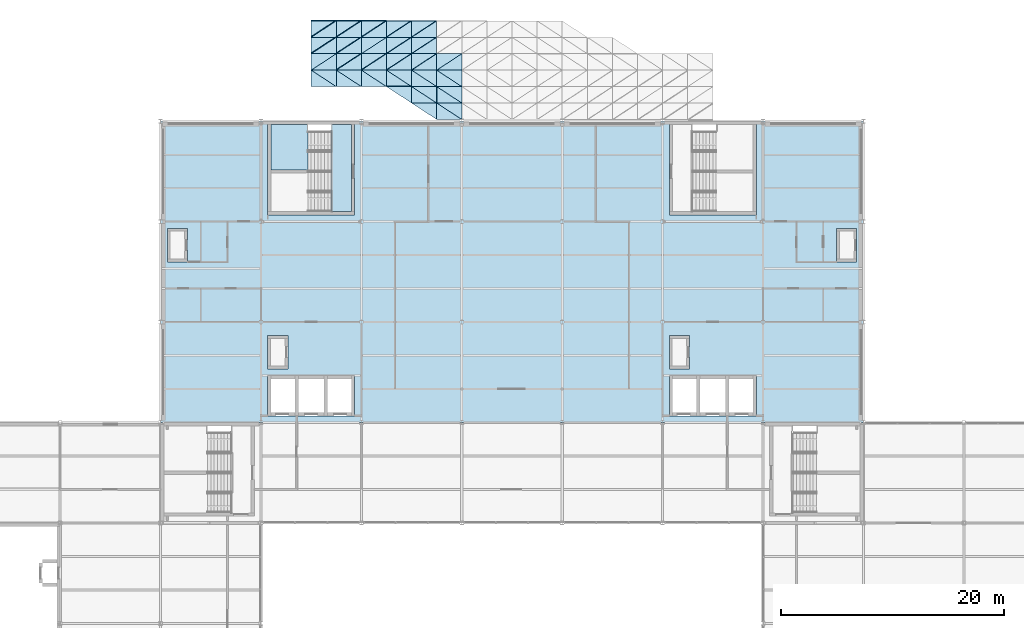
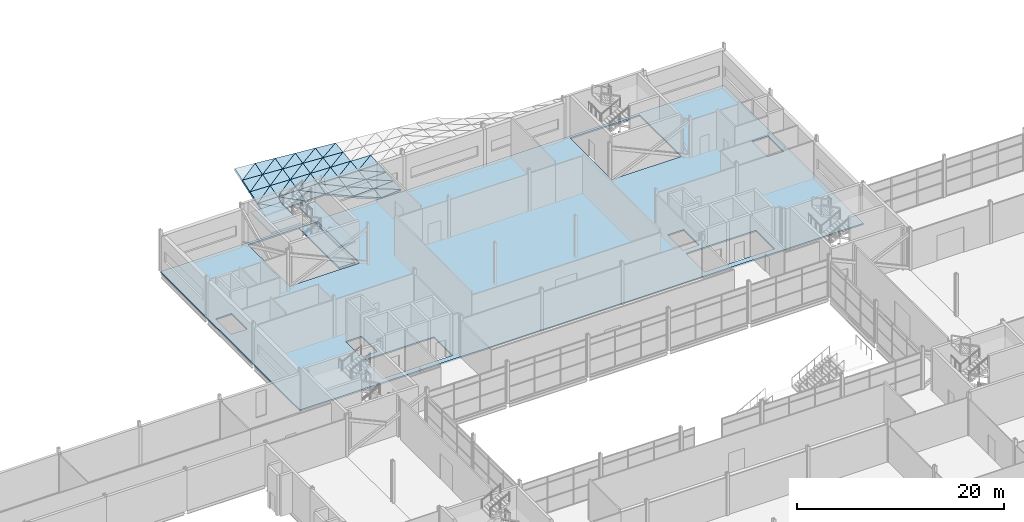
# One storey, part 71 of 112: 56 slabs, 1 element without a shape of its own.
"""IFC4 building model written with IfcOpenShell, lengths in metres."""

from ifc_helpers import new_model, si_unit, direction, frame, origin, place, context, subcontext, project, spatial, polyline, outline, extrude, material, layer, layer_set, type_object, element, aggregate, save


model = new_model("IFC4")

# Units and contexts
model_context = context("Model", 3, precision=1e-05, world=origin(), true_north=direction((0.0, 1.0)))
body_context = subcontext(model_context, "Body", "Model", "MODEL_VIEW")
ifc_project = project(units=[si_unit("LENGTHUNIT", "METRE"), si_unit("AREAUNIT", "SQUARE_METRE"), si_unit("VOLUMEUNIT", "CUBIC_METRE"), si_unit("PLANEANGLEUNIT", "RADIAN"), si_unit("MASSUNIT", "GRAM", prefix="KILO")], contexts=[model_context])

# Site, building, storey
site_placement = place(None, origin())
site = spatial("IfcSite", under=ifc_project, at=site_placement, CompositionType="ELEMENT")
building_placement = place(site_placement, origin())
building = spatial("IfcBuilding", under=site, at=building_placement, Name="Shorebreak Coast Museum", CompositionType="ELEMENT")
storey_placement = place(building_placement, frame((0.0, 0.0, 6.0)))
storey = spatial("IfcBuildingStorey", under=building, at=storey_placement, Name="L01", CompositionType="ELEMENT", Elevation=6.0)

# Slabs
ifc_material_1 = material(Name="Concrete N50 (50 MPa)", Category="concrete")
ifc_layer_1 = layer(ifc_material_1, 0.25)
ifc_layer_set_1 = layer_set([ifc_layer_1], Name="Concrete N50 (50 MPa)")
slab_type_1 = type_object("IfcSlabType", Name="Canopy facet slab 250", PredefinedType="ROOF", material=ifc_layer_set_1)
slab_1_placement = place(storey_placement, frame((78.75, 117.16357421875, -0.0419921875), z_axis=(-0.052577337981, -0.123863176594, 0.990905412749), x_axis=(0.0, 0.992277876714, 0.124034734589)))
element("IfcSlab", 1, at=slab_1_placement, inside=storey, type_object=slab_type_1, Name="Canopy facet CAN-N 1.5b", PredefinedType="ROOF", context=body_context, shape_type="SweptSolid", body=[
    extrude(outline(polyline([(0.0, 0.0), (1.4841167827678483, 0.0), (1.4693089250495566, 2.253116386166754), (0.0, 0.0)])), origin(), (0.0, 0.0, -1.0), 0.25),
])
slab_2_placement = place(storey_placement, frame((78.75, 117.16357421875, -0.0419921875), z_axis=(-0.079423394127, -0.123642905452, 0.989143243619), x_axis=(0.996791849979, 0.0, 0.080037540037)))
element("IfcSlab", 2, at=slab_2_placement, inside=storey, type_object=slab_type_1, Name="Canopy facet CAN-N 1.6a", PredefinedType="ROOF", context=body_context, shape_type="SweptSolid", body=[
    extrude(outline(polyline([(0.0, 0.0), (2.257241569588644, -3.469446951953614e-18), (0.014733472946334966, 1.4840436481681147), (0.0, 0.0)])), origin(), (0.0, 0.0, -1.0), 0.25),
])
slab_3_placement = place(storey_placement, frame((81.0, 117.16357421875, 0.138671875), z_axis=(-0.05280260806, -0.082984242339, 0.995150993621), x_axis=(0.0, 0.996541199252, 0.083100169633)))
element("IfcSlab", 3, at=slab_3_placement, inside=storey, type_object=slab_type_1, Name="Canopy facet CAN-N 1.6b", PredefinedType="ROOF", context=body_context, shape_type="SweptSolid", body=[
    extrude(outline(polyline([(0.0, 0.0), (1.477767553519172, 8.673617379884035e-19), (1.4678466592441861, 2.253143204086265), (0.0, 0.0)])), origin(), (0.0, 0.0, -1.0), 0.25),
])
slab_4_placement = place(storey_placement, frame((76.5, 118.63623046875, 0.022705078125), z_axis=(-0.025464677856, -0.164425189432, 0.986060803025), x_axis=(0.0, 0.986380664068, 0.164478526115)))
element("IfcSlab", 4, at=slab_4_placement, inside=storey, type_object=slab_type_1, Name="Canopy facet CAN-N 2.4b", PredefinedType="ROOF", context=body_context, shape_type="SweptSolid", body=[
    extrude(outline(polyline([(0.0, 0.0), (1.493237290916345, 8.673617379884035e-19), (1.483680189057119, 2.250729861023466), (0.0, 0.0)])), origin(), (0.0, 0.0, -1.0), 0.25),
])
slab_5_placement = place(storey_placement, frame((76.5, 118.63623046875, 0.022705078125), z_axis=(-0.052265721414, -0.164253719025, 0.985032491927), x_axis=(0.998595289099, 0.0, 0.052985362019)))
element("IfcSlab", 5, at=slab_5_placement, inside=storey, type_object=slab_type_1, Name="Canopy facet CAN-N 2.5a", PredefinedType="ROOF", context=body_context, shape_type="SweptSolid", body=[
    extrude(outline(polyline([(0.0, 0.0), (2.253165045500071, 0.0), (0.013013494675632759, 1.4931805838342234), (0.0, 0.0)])), origin(), (0.0, 0.0, -1.0), 0.25),
])
slab_6_placement = place(storey_placement, frame((78.75, 118.63623046875, 0.14208984375), z_axis=(-0.025509323813, -0.123974135162, 0.991957503228), x_axis=(0.0, 0.992280406899, 0.124014491431)))
element("IfcSlab", 6, at=slab_6_placement, inside=storey, type_object=slab_type_1, Name="Canopy facet CAN-N 2.5b", PredefinedType="ROOF", context=body_context, shape_type="SweptSolid", body=[
    extrude(outline(polyline([(0.0, 0.0), (1.4843590384177283, 0.0), (1.4771833952367992, 2.250732423776165), (0.0, 0.0)])), origin(), (0.0, 0.0, -1.0), 0.25),
])
slab_7_placement = place(storey_placement, frame((78.75, 118.63623046875, 0.14208984375), z_axis=(-0.052577471676, -0.123842960561, 0.99090793245), x_axis=(0.998595289099, 0.0, 0.052985362019)))
element("IfcSlab", 7, at=slab_7_placement, inside=storey, type_object=slab_type_1, Name="Canopy facet CAN-N 2.6a", PredefinedType="ROOF", context=body_context, shape_type="SweptSolid", body=[
    extrude(outline(polyline([(0.0, 0.0), (2.253165045500071, -1.734723475976807e-18), (0.00975365306702495, 1.4843269926752163), (0.0, 0.0)])), origin(), (0.0, 0.0, -1.0), 0.25),
])
slab_8_placement = place(storey_placement, frame((81.0, 118.63623046875, 0.261474609375), z_axis=(-0.02561916791, -0.082895228307, 0.996228909117), x_axis=(0.0, 0.99655600346, 0.082922445506)))
element("IfcSlab", 8, at=slab_8_placement, inside=storey, type_object=slab_type_1, Name="Canopy facet CAN-N 2.6b", PredefinedType="ROOF", context=body_context, shape_type="SweptSolid", body=[
    extrude(outline(polyline([(0.0, 0.0), (1.4779905850868114, 0.0), (1.4731925822584706, 2.2507387481583123), (0.0, 0.0)])), origin(), (0.0, 0.0, -1.0), 0.25),
])
slab_9_placement = place(storey_placement, frame((67.5, 120.109130859375, 0.036376953125), z_axis=(-0.024388816921, -0.316180870932, 0.948385387101), x_axis=(0.999669503836, 0.0, 0.025707646746)))
element("IfcSlab", 9, at=slab_9_placement, inside=storey, type_object=slab_type_1, Name="Canopy facet CAN-N 3.1a", PredefinedType="ROOF", context=body_context, shape_type="SweptSolid", body=[
    extrude(outline(polyline([(0.0, 0.0), (2.2507438622136435, 0.0), (0.01262160097796507, 1.5522904114522236), (0.0, 0.0)])), origin(), (0.0, 0.0, -1.0), 0.25),
])
slab_10_placement = place(storey_placement, frame((69.75, 120.109130859375, 0.09423828125), z_axis=(0.001458288452, -0.280097480307, 0.959970455233), x_axis=(0.0, 0.959971475974, 0.280097778136)))
element("IfcSlab", 10, at=slab_10_placement, inside=storey, type_object=slab_type_1, Name="Canopy facet CAN-N 3.1b", PredefinedType="ROOF", context=body_context, shape_type="SweptSolid", body=[
    extrude(outline(polyline([(0.0, 0.0), (1.5340625079573231, 1.0842021724855044e-19), (1.5350198734099352, 2.250002392434676), (0.0, 0.0)])), origin(), (0.0, 0.0, -1.0), 0.25),
])
slab_11_placement = place(storey_placement, frame((69.75, 120.109130859375, 0.09423828125), z_axis=(-0.024783315422, -0.280011745113, 0.959676617343), x_axis=(0.999666710352, 0.0, 0.025816045688)))
element("IfcSlab", 11, at=slab_11_placement, inside=storey, type_object=slab_type_1, Name="Canopy facet CAN-N 3.2a", PredefinedType="ROOF", context=body_context, shape_type="SweptSolid", body=[
    extrude(outline(polyline([(0.0, 0.0), (2.2507501517268986, 0.0), (0.011092832131704812, 1.5340224012039754), (0.0, 0.0)])), origin(), (0.0, 0.0, -1.0), 0.25),
])
slab_12_placement = place(storey_placement, frame((72.0, 120.109130859375, 0.15234375), z_axis=(0.001473739177, -0.242535361654, 0.970141446615), x_axis=(0.0, 0.970142500145, 0.242535625036)))
element("IfcSlab", 12, at=slab_12_placement, inside=storey, type_object=slab_type_1, Name="Canopy facet CAN-N 3.2b", PredefinedType="ROOF", context=body_context, shape_type="SweptSolid", body=[
    extrude(outline(polyline([(0.0, 0.0), (1.517979317244002, 0.0), (1.5188082964311378, 2.250002443399536), (0.0, 0.0)])), origin(), (0.0, 0.0, -1.0), 0.25),
])
slab_13_placement = place(storey_placement, frame((72.0, 120.109130859375, 0.15234375), z_axis=(-0.02494056548, -0.242460180866, 0.969840723463), x_axis=(0.999669503836, 0.0, 0.025707646746)))
element("IfcSlab", 13, at=slab_13_placement, inside=storey, type_object=slab_type_1, Name="Canopy facet CAN-N 3.3a", PredefinedType="ROOF", context=body_context, shape_type="SweptSolid", body=[
    extrude(outline(polyline([(0.0, 0.0), (2.2507438622136435, -1.734723475976807e-18), (0.009464631663237855, 1.5179498108725618), (0.0, 0.0)])), origin(), (0.0, 0.0, -1.0), 0.25),
])
slab_14_placement = place(storey_placement, frame((74.25, 120.109130859375, 0.210205078125), z_axis=(0.001487148381, -0.204005876549, 0.978968534082), x_axis=(0.0, 0.978969616633, 0.20400610214)))
element("IfcSlab", 14, at=slab_14_placement, inside=storey, type_object=slab_type_1, Name="Canopy facet CAN-N 3.3b", PredefinedType="ROOF", context=body_context, shape_type="SweptSolid", body=[
    extrude(outline(polyline([(0.0, 0.0), (1.504292089335304, 5.421010862427522e-20), (1.504989375817227, 2.250002488065722), (0.0, 0.0)])), origin(), (0.0, 0.0, -1.0), 0.25),
])
slab_15_placement = place(storey_placement, frame((74.25, 120.109130859375, 0.210205078125), z_axis=(-0.025273474863, -0.203940937433, 0.978656908987), x_axis=(0.999666710352, 0.0, 0.025816045688)))
element("IfcSlab", 15, at=slab_15_placement, inside=storey, type_object=slab_type_1, Name="Canopy facet CAN-N 3.4a", PredefinedType="ROOF", context=body_context, shape_type="SweptSolid", body=[
    extrude(outline(polyline([(0.0, 0.0), (2.2507501517268986, 1.734723475976807e-18), (0.00792255113042781, 1.5042712266145224), (0.0, 0.0)])), origin(), (0.0, 0.0, -1.0), 0.25),
])
slab_16_placement = place(storey_placement, frame((76.5, 120.109130859375, 0.268310546875), z_axis=(0.001498440013, -0.164345766354, 0.986401654378), x_axis=(0.0, 0.986402761774, 0.164345950859)))
element("IfcSlab", 16, at=slab_16_placement, inside=storey, type_object=slab_type_1, Name="Canopy facet CAN-N 3.4b", PredefinedType="ROOF", context=body_context, shape_type="SweptSolid", body=[
    extrude(outline(polyline([(0.0, 0.0), (1.4929563329191267, 1.0842021724855044e-19), (1.4935180622433528, 2.250002525992036), (0.0, 0.0)])), origin(), (0.0, 0.0, -1.0), 0.25),
])
slab_17_placement = place(storey_placement, frame((76.5, 120.109130859375, 0.268310546875), z_axis=(-0.025358320075, -0.16429310149, 0.986085560388), x_axis=(0.999669503836, 0.0, 0.025707646746)))
element("IfcSlab", 17, at=slab_17_placement, inside=storey, type_object=slab_type_1, Name="Canopy facet CAN-N 3.5a", PredefinedType="ROOF", context=body_context, shape_type="SweptSolid", body=[
    extrude(outline(polyline([(0.0, 0.0), (2.2507438622136435, 0.0), (0.006307662348510639, 1.4929430080880597), (0.0, 0.0)])), origin(), (0.0, 0.0, -1.0), 0.25),
])
slab_18_placement = place(storey_placement, frame((78.75, 120.109130859375, 0.326171875), z_axis=(0.001507364854, -0.124034593676, 0.992276749412), x_axis=(0.0, 0.992277876714, 0.124034734589)))
element("IfcSlab", 18, at=slab_18_placement, inside=storey, type_object=slab_type_1, Name="Canopy facet CAN-N 3.5b", PredefinedType="ROOF", context=body_context, shape_type="SweptSolid", body=[
    extrude(outline(polyline([(0.0, 0.0), (1.4841167827678483, 0.0), (1.484540729614589, 2.2500025561717583), (0.0, 0.0)])), origin(), (0.0, 0.0, -1.0), 0.25),
])
slab_19_placement = place(storey_placement, frame((78.75, 120.109130859375, 0.326171875), z_axis=(-0.02550925881, -0.123994371939, 0.991954975512), x_axis=(0.999669503836, 0.0, 0.025707646746)))
element("IfcSlab", 19, at=slab_19_placement, inside=storey, type_object=slab_type_1, Name="Canopy facet CAN-N 3.6a", PredefinedType="ROOF", context=body_context, shape_type="SweptSolid", body=[
    extrude(outline(polyline([(0.0, 0.0), (2.2507438622136435, 0.0), (0.004732315831618927, 1.484109237920194), (0.0, 0.0)])), origin(), (0.0, 0.0, -1.0), 0.25),
])
slab_20_placement = place(storey_placement, frame((81.0, 120.109130859375, 0.384033203125), z_axis=(0.001513841233, -0.083100074412, 0.996540057357), x_axis=(0.0, 0.996541199252, 0.083100169633)))
element("IfcSlab", 20, at=slab_20_placement, inside=storey, type_object=slab_type_1, Name="Canopy facet CAN-N 3.6b", PredefinedType="ROOF", context=body_context, shape_type="SweptSolid", body=[
    extrude(outline(polyline([(0.0, 0.0), (1.477767553519172, 2.710505431213761e-20), (1.478051587302096, 2.25000257818412), (0.0, 0.0)])), origin(), (0.0, 0.0, -1.0), 0.25),
])
slab_21_placement = place(storey_placement, frame((67.5, 121.581787109375, 0.52734375), z_axis=(0.001458353443, -0.279950809965, 0.960013238037), x_axis=(0.999998846174, 0.0, -0.001519095469)))
element("IfcSlab", 21, at=slab_21_placement, inside=storey, type_object=slab_type_1, Name="Canopy facet CAN-N 4.1a", PredefinedType="ROOF", context=body_context, shape_type="SweptSolid", body=[
    extrude(outline(polyline([(0.0, 0.0), (2.2500025961119197, 1.0842021724855044e-19), (2.2493502306503084, 1.533994003897881), (0.0, 0.0)])), origin(), (0.0, 0.0, -1.0), 0.25),
])
slab_22_placement = place(storey_placement, frame((67.5, 121.581787109375, 0.52734375), z_axis=(0.027370988587, -0.316156453159, 0.948312145925), x_axis=(0.826406822818, 0.540894743407, 0.156475684225)))
element("IfcSlab", 22, at=slab_22_placement, inside=storey, type_object=slab_type_1, Name="Canopy facet CAN-N 4.1b", PredefinedType="ROOF", context=body_context, shape_type="SweptSolid", body=[
    extrude(outline(polyline([(0.0, 0.0), (2.722629990307395, 0.0), (0.8733763899435221, 1.2833466046968685), (0.0, 0.0)])), origin(), (0.0, 0.0, -1.0), 0.25),
])
slab_23_placement = place(storey_placement, frame((69.75, 121.581787109375, 0.52392578125), z_axis=(0.001473739177, -0.242535361654, 0.970141446615), x_axis=(0.999998846174, 0.0, -0.001519095469)))
element("IfcSlab", 23, at=slab_23_placement, inside=storey, type_object=slab_type_1, Name="Canopy facet CAN-N 4.2a", PredefinedType="ROOF", context=body_context, shape_type="SweptSolid", body=[
    extrude(outline(polyline([(0.0, 0.0), (2.2500025961119197, 1.0842021724855044e-19), (2.249443319752562, 1.5179792142155701), (0.0, 0.0)])), origin(), (0.0, 0.0, -1.0), 0.25),
])
slab_24_placement = place(storey_placement, frame((69.75, 121.581787109375, 0.52392578125), z_axis=(0.027594065161, -0.279844505441, 0.959648696317), x_axis=(0.829121305729, 0.542671410173, 0.134408336671)))
element("IfcSlab", 24, at=slab_24_placement, inside=storey, type_object=slab_type_1, Name="Canopy facet CAN-N 4.2b", PredefinedType="ROOF", context=body_context, shape_type="SweptSolid", body=[
    extrude(outline(polyline([(0.0, 0.0), (2.7137162975465854, 8.326672684688674e-17), (0.8568892115160586, 1.2723517236844282), (0.0, 0.0)])), origin(), (0.0, 0.0, -1.0), 0.25),
])
slab_25_placement = place(storey_placement, frame((72.0, 121.581787109375, 0.5205078125), z_axis=(0.001487148381, -0.204005876549, 0.978968534082), x_axis=(0.999998846174, 0.0, -0.001519095469)))
element("IfcSlab", 25, at=slab_25_placement, inside=storey, type_object=slab_type_1, Name="Canopy facet CAN-N 4.3a", PredefinedType="ROOF", context=body_context, shape_type="SweptSolid", body=[
    extrude(outline(polyline([(0.0, 0.0), (2.2500025961119197, 1.0842021724855044e-19), (2.2495364088548158, 1.5042920170984808), (0.0, 0.0)])), origin(), (0.0, 0.0, -1.0), 0.25),
])
slab_26_placement = place(storey_placement, frame((72.0, 121.581787109375, 0.5205078125), z_axis=(0.027884959973, -0.242441312366, 0.969765249463), x_axis=(0.831436052894, 0.544186444342, 0.112139215901)))
element("IfcSlab", 26, at=slab_26_placement, inside=storey, type_object=slab_type_1, Name="Canopy facet CAN-N 4.3b", PredefinedType="ROOF", context=body_context, shape_type="SweptSolid", body=[
    extrude(outline(polyline([(0.0, 0.0), (2.7061612160899866, -2.220446049250313e-16), (0.8426851977172061, 1.2625937054844207), (0.0, 0.0)])), origin(), (0.0, 0.0, -1.0), 0.25),
])
slab_27_placement = place(storey_placement, frame((74.25, 121.581787109375, 0.51708984375), z_axis=(0.001498440013, -0.164345766354, 0.986401654378), x_axis=(0.999998846174, 0.0, -0.001519095469)))
element("IfcSlab", 27, at=slab_27_placement, inside=storey, type_object=slab_type_1, Name="Canopy facet CAN-N 4.4a", PredefinedType="ROOF", context=body_context, shape_type="SweptSolid", body=[
    extrude(outline(polyline([(0.0, 0.0), (2.2500025961119197, 1.0842021724855044e-19), (2.249629868829987, 1.4929562863921033), (0.0, 0.0)])), origin(), (0.0, 0.0, -1.0), 0.25),
])
slab_28_placement = place(storey_placement, frame((74.25, 121.581787109375, 0.51708984375), z_axis=(0.028244577592, -0.203924712342, 0.9785790492), x_axis=(0.833347450072, 0.545437480343, 0.089610169599)))
element("IfcSlab", 28, at=slab_28_placement, inside=storey, type_object=slab_type_1, Name="Canopy facet CAN-N 4.4b", PredefinedType="ROOF", context=body_context, shape_type="SweptSolid", body=[
    extrude(outline(polyline([(0.0, 0.0), (2.699954262540335, -2.7755575615628914e-17), (0.8307419103055554, 1.254098308944977), (0.0, 0.0)])), origin(), (0.0, 0.0, -1.0), 0.25),
])
slab_29_placement = place(storey_placement, frame((76.5, 121.581787109375, 0.513671875), z_axis=(0.001507364854, -0.124034593676, 0.992276749412), x_axis=(0.999998846174, 0.0, -0.001519095469)))
element("IfcSlab", 29, at=slab_29_placement, inside=storey, type_object=slab_type_1, Name="Canopy facet CAN-N 4.5a", PredefinedType="ROOF", context=body_context, shape_type="SweptSolid", body=[
    extrude(outline(polyline([(0.0, 0.0), (2.2500025961119197, 5.421010862427522e-20), (2.249722957932241, 1.4841167564230506), (0.0, 0.0)])), origin(), (0.0, 0.0, -1.0), 0.25),
])
slab_30_placement = place(storey_placement, frame((76.5, 121.581787109375, 0.513671875), z_axis=(0.028351958661, -0.164279884185, 0.98600623025), x_axis=(0.83483165277, 0.546408911622, 0.067032923508)))
element("IfcSlab", 30, at=slab_30_placement, inside=storey, type_object=slab_type_1, Name="Canopy facet CAN-N 4.5b", PredefinedType="ROOF", context=body_context, shape_type="SweptSolid", body=[
    extrude(outline(polyline([(0.0, 0.0), (2.695154157769657, 7.979727989493313e-17), (0.821119785895624, 1.2468684410209652), (0.0, 0.0)])), origin(), (0.0, 0.0, -1.0), 0.25),
])
slab_31_placement = place(storey_placement, frame((78.75, 121.581787109375, 0.51025390625), z_axis=(0.001513861996, -0.08293600301, 0.996553725409), x_axis=(0.999998846174, 0.0, -0.001519095469)))
element("IfcSlab", 31, at=slab_31_placement, inside=storey, type_object=slab_type_1, Name="Canopy facet CAN-N 4.6a", PredefinedType="ROOF", context=body_context, shape_type="SweptSolid", body=[
    extrude(outline(polyline([(0.0, 0.0), (2.2500025961119197, 0.0), (2.249816417907412, 1.477747273691857), (0.0, 0.0)])), origin(), (0.0, 0.0, -1.0), 0.25),
])
slab_32_placement = place(storey_placement, frame((78.75, 121.581787109375, 0.51025390625), z_axis=(0.028628226048, -0.123983896267, 0.991871170132), x_axis=(0.835893614249, 0.54710398016, 0.044261727838)))
element("IfcSlab", 32, at=slab_32_placement, inside=storey, type_object=slab_type_1, Name="Canopy facet CAN-N 4.6b", PredefinedType="ROOF", context=body_context, shape_type="SweptSolid", body=[
    extrude(outline(polyline([(0.0, 0.0), (2.6917300977604444, -1.8388068845354155e-16), (0.8138438845488651, 1.2410724219301634), (0.0, 0.0)])), origin(), (0.0, 0.0, -1.0), 0.25),
])
slab_33_placement = place(storey_placement, frame((67.5, 123.054443359375, 1.018310546875), z_axis=(0.027697240435, -0.279947551257, 0.959615668597), x_axis=(0.999583728093, 0.0, -0.02885083243)))
element("IfcSlab", 33, at=slab_33_placement, inside=storey, type_object=slab_type_1, Name="Canopy facet CAN-N 5.1a", PredefinedType="ROOF", context=body_context, shape_type="SweptSolid", body=[
    extrude(outline(polyline([(0.0, 0.0), (2.250937001838507, -3.469446951953614e-18), (2.2385401597788426, 1.5342467945759168), (0.0, 0.0)])), origin(), (0.0, 0.0, -1.0), 0.25),
])
slab_34_placement = place(storey_placement, frame((67.5, 123.054443359375, 1.018310546875), z_axis=(0.053044240493, -0.315641233544, 0.947394806951), x_axis=(0.829080826259, 0.542734876825, 0.134401774569)))
element("IfcSlab", 34, at=slab_34_placement, inside=storey, type_object=slab_type_1, Name="Canopy facet CAN-N 5.1b", PredefinedType="ROOF", context=body_context, shape_type="SweptSolid", body=[
    extrude(outline(polyline([(0.0, 0.0), (2.713848793431418, -1.8041124150158794e-16), (0.8653484079029021, 1.2889594326433418), (0.0, 0.0)])), origin(), (0.0, 0.0, -1.0), 0.25),
])
slab_35_placement = place(storey_placement, frame((69.75, 123.054443359375, 0.953369140625), z_axis=(0.027885231629, -0.242403487986, 0.969774696963), x_axis=(0.999586850138, 0.0, -0.028742460426)))
element("IfcSlab", 35, at=slab_35_placement, inside=storey, type_object=slab_type_1, Name="Canopy facet CAN-N 5.2a", PredefinedType="ROOF", context=body_context, shape_type="SweptSolid", body=[
    extrude(outline(polyline([(0.0, 0.0), (2.25092997140723, 3.469446951953614e-18), (2.240348030410527, 1.5181792911723317), (0.0, 0.0)])), origin(), (0.0, 0.0, -1.0), 0.25),
])
slab_36_placement = place(storey_placement, frame((69.75, 123.054443359375, 0.953369140625), z_axis=(0.053775344312, -0.279649769206, 0.958594919102), x_axis=(0.83139523346, 0.544249939612, 0.112133710416)))
element("IfcSlab", 36, at=slab_36_placement, inside=storey, type_object=slab_type_1, Name="Canopy facet CAN-N 5.2b", PredefinedType="ROOF", context=body_context, shape_type="SweptSolid", body=[
    extrude(outline(polyline([(0.0, 0.0), (2.7062940818597028, 1.3877787807814457e-16), (0.849808402346693, 1.2774555129868472), (0.0, 0.0)])), origin(), (0.0, 0.0, -1.0), 0.25),
])
slab_37_placement = place(storey_placement, frame((72.0, 123.054443359375, 0.888671875), z_axis=(0.028139603442, -0.203737456044, 0.97862107668), x_axis=(0.999586850138, 0.0, -0.028742460426)))
element("IfcSlab", 37, at=slab_37_placement, inside=storey, type_object=slab_type_1, Name="Canopy facet CAN-N 5.3a", PredefinedType="ROOF", context=body_context, shape_type="SweptSolid", body=[
    extrude(outline(polyline([(0.0, 0.0), (2.25092997140723, 0.0), (2.2421163653781457, 1.5044555008216203), (0.0, 0.0)])), origin(), (0.0, 0.0, -1.0), 0.25),
])
slab_38_placement = place(storey_placement, frame((72.0, 123.054443359375, 0.888671875), z_axis=(0.054343251049, -0.242139452135, 0.96871837847), x_axis=(0.833306348484, 0.545500998308, 0.089605749929)))
element("IfcSlab", 38, at=slab_38_placement, inside=storey, type_object=slab_type_1, Name="Canopy facet CAN-N 5.3b", PredefinedType="ROOF", context=body_context, shape_type="SweptSolid", body=[
    extrude(outline(polyline([(0.0, 0.0), (2.7000874337415333, 1.3877787807814457e-17), (0.8364582504115576, 1.2670114178405094), (0.0, 0.0)])), origin(), (0.0, 0.0, -1.0), 0.25),
])
slab_39_placement = place(storey_placement, frame((74.25, 123.054443359375, 0.823974609375), z_axis=(0.028458987993, -0.1642528895, 0.986007644135), x_axis=(0.999583728093, 0.0, -0.02885083243)))
element("IfcSlab", 39, at=slab_39_placement, inside=storey, type_object=slab_type_1, Name="Canopy facet CAN-N 5.4a", PredefinedType="ROOF", context=body_context, shape_type="SweptSolid", body=[
    extrude(outline(polyline([(0.0, 0.0), (2.250937001838507, -1.734723475976807e-18), (2.2438581232760284, 1.4931803747440693), (0.0, 0.0)])), origin(), (0.0, 0.0, -1.0), 0.25),
])
slab_40_placement = place(storey_placement, frame((74.25, 123.054443359375, 0.823974609375), z_axis=(0.054837881385, -0.203511476386, 0.977535618658), x_axis=(0.83479539631, 0.546475762363, 0.066939431193)))
element("IfcSlab", 40, at=slab_40_placement, inside=storey, type_object=slab_type_1, Name="Canopy facet CAN-N 5.4b", PredefinedType="ROOF", context=body_context, shape_type="SweptSolid", body=[
    extrude(outline(polyline([(0.0, 0.0), (2.695271212496557, -3.191891195797325e-16), (0.8254307128701697, 1.257826765438831), (0.0, 0.0)])), origin(), (0.0, 0.0, -1.0), 0.25),
])
slab_41_placement = place(storey_placement, frame((76.5, 123.054443359375, 0.759033203125), z_axis=(0.028520761513, -0.123964042378, 0.991876747565), x_axis=(0.999586850138, 0.0, -0.028742460426)))
element("IfcSlab", 41, at=slab_41_placement, inside=storey, type_object=slab_type_1, Name="Canopy facet CAN-N 5.5a", PredefinedType="ROOF", context=body_context, shape_type="SweptSolid", body=[
    extrude(outline(polyline([(0.0, 0.0), (2.25092997140723, 0.0), (2.2456390009088785, 1.4843496086042498), (0.0, 0.0)])), origin(), (0.0, 0.0, -1.0), 0.25),
])
slab_42_placement = place(storey_placement, frame((76.5, 123.054443359375, 0.759033203125), z_axis=(0.055144490309, -0.164069414346, 0.98490624552), x_axis=(0.835848776134, 0.547165328387, 0.044350048994)))
element("IfcSlab", 42, at=slab_42_placement, inside=storey, type_object=slab_type_1, Name="Canopy facet CAN-N 5.5b", PredefinedType="ROOF", context=body_context, shape_type="SweptSolid", body=[
    extrude(outline(polyline([(0.0, 0.0), (2.6918744924246774, -4.85722573273506e-17), (0.8168018128417417, 1.2499890161841367), (0.0, 0.0)])), origin(), (0.0, 0.0, -1.0), 0.25),
])
slab_43_placement = place(storey_placement, frame((67.5, 124.52734375, 1.509033203125), z_axis=(0.053673319182, -0.279547571724, 0.958630444932), x_axis=(0.998436258871, 0.0, -0.055902030119)))
element("IfcSlab", 43, at=slab_43_placement, inside=storey, type_object=slab_type_1, Name="Canopy facet CAN-N 6.1a", PredefinedType="ROOF", context=body_context, shape_type="SweptSolid", body=[
    extrude(outline(polyline([(0.0, 0.0), (2.2535239280512016, 6.938893903907228e-18), (2.229517172440979, 1.5338062802259025), (0.0, 0.0)])), origin(), (0.0, 0.0, -1.0), 0.25),
])
slab_44_placement = place(storey_placement, frame((67.5, 124.52734375, 1.509033203125), z_axis=(0.078809742115, -0.31529122956, 0.945716905374), x_axis=(0.831436052894, 0.544186444342, 0.112139215901)))
element("IfcSlab", 44, at=slab_44_placement, inside=storey, type_object=slab_type_1, Name="Canopy facet CAN-N 6.1b", PredefinedType="ROOF", context=body_context, shape_type="SweptSolid", body=[
    extrude(outline(polyline([(0.0, 0.0), (2.7061612160899866, -2.3592239273284576e-16), (0.8564562000605614, 1.2946998121864326), (0.0, 0.0)])), origin(), (0.0, 0.0, -1.0), 0.25),
])
slab_45_placement = place(storey_placement, frame((69.75, 124.52734375, 1.383056640625), z_axis=(0.054342722792, -0.242177240452, 0.968708961808), x_axis=(0.998430206264, 0.0, -0.056010027847)))
element("IfcSlab", 45, at=slab_45_placement, inside=storey, type_object=slab_type_1, Name="Canopy facet CAN-N 6.2a", PredefinedType="ROOF", context=body_context, shape_type="SweptSolid", body=[
    extrude(outline(polyline([(0.0, 0.0), (2.25353758919113, -3.469446951953614e-18), (2.232916709798217, 1.517839249365238), (0.0, 0.0)])), origin(), (0.0, 0.0, -1.0), 0.25),
])
slab_46_placement = place(storey_placement, frame((69.75, 124.52734375, 1.383056640625), z_axis=(0.079746399209, -0.279059515004, 0.956956790508), x_axis=(0.833347450072, 0.545437480343, 0.089610169599)))
element("IfcSlab", 46, at=slab_46_placement, inside=storey, type_object=slab_type_1, Name="Canopy facet CAN-N 6.2b", PredefinedType="ROOF", context=body_context, shape_type="SweptSolid", body=[
    extrude(outline(polyline([(0.0, 0.0), (2.699954262540335, -6.938893903907228e-17), (0.8417244066772723, 1.2824344243582757), (0.0, 0.0)])), origin(), (0.0, 0.0, -1.0), 0.25),
])
slab_47_placement = place(storey_placement, frame((72.0, 124.52734375, 1.2568359375), z_axis=(0.054835695344, -0.203699152791, 0.977496650464), x_axis=(0.998430206264, 0.0, -0.056010027847)))
element("IfcSlab", 47, at=slab_47_placement, inside=storey, type_object=slab_type_1, Name="Canopy facet CAN-N 6.3a", PredefinedType="ROOF", context=body_context, shape_type="SweptSolid", body=[
    extrude(outline(polyline([(0.0, 0.0), (2.25353758919113, 0.0), (2.236348964922634, 1.504193884189312), (0.0, 0.0)])), origin(), (0.0, 0.0, -1.0), 0.25),
])
slab_48_placement = place(storey_placement, frame((72.0, 124.52734375, 1.2568359375), z_axis=(0.080582296403, -0.241746889208, 0.96698755683), x_axis=(0.83483165277, 0.546408911622, 0.067032923508)))
element("IfcSlab", 48, at=slab_48_placement, inside=storey, type_object=slab_type_1, Name="Canopy facet CAN-N 6.3b", PredefinedType="ROOF", context=body_context, shape_type="SweptSolid", body=[
    extrude(outline(polyline([(0.0, 0.0), (2.695154157769657, -2.42861286636753e-16), (0.8293516121955546, 1.2713918007165224), (0.0, 0.0)])), origin(), (0.0, 0.0, -1.0), 0.25),
])
slab_49_placement = place(storey_placement, frame((74.25, 124.52734375, 1.130615234375), z_axis=(0.05524930595, -0.164253789352, 0.984869639534), x_axis=(0.998430206264, 0.0, -0.056010027847)))
element("IfcSlab", 49, at=slab_49_placement, inside=storey, type_object=slab_type_1, Name="Canopy facet CAN-N 6.4a", PredefinedType="ROOF", context=body_context, shape_type="SweptSolid", body=[
    extrude(outline(polyline([(0.0, 0.0), (2.25353758919113, -3.469446951953614e-18), (2.239781220047051, 1.492933099389233), (0.0, 0.0)])), origin(), (0.0, 0.0, -1.0), 0.25),
])
slab_50_placement = place(storey_placement, frame((74.25, 124.52734375, 1.130615234375), z_axis=(0.081310671473, -0.203330598225, 0.975728057673), x_axis=(0.835890255094, 0.547101781546, 0.044352249863)))
element("IfcSlab", 50, at=slab_50_placement, inside=storey, type_object=slab_type_1, Name="Canopy facet CAN-N 6.4b", PredefinedType="ROOF", context=body_context, shape_type="SweptSolid", body=[
    extrude(outline(polyline([(0.0, 0.0), (2.691740914896417, 7.28583859910259e-17), (0.8193038877840709, 1.2616005031303217), (0.0, 0.0)])), origin(), (0.0, 0.0, -1.0), 0.25),
])
slab_51_placement = place(storey_placement, frame((76.5, 124.52734375, 1.00439453125), z_axis=(0.055471681236, -0.123843753458, 0.990750027661), x_axis=(0.998436258871, 0.0, -0.055902030119)))
element("IfcSlab", 51, at=slab_51_placement, inside=storey, type_object=slab_type_1, Name="Canopy facet CAN-N 6.5a", PredefinedType="ROOF", context=body_context, shape_type="SweptSolid", body=[
    extrude(outline(polyline([(0.0, 0.0), (2.2535239280512016, 1.734723475976807e-18), (2.2432333687958814, 1.484081106032754), (0.0, 0.0)])), origin(), (0.0, 0.0, -1.0), 0.25),
])
slab_52_placement = place(storey_placement, frame((76.5, 124.52734375, 1.00439453125), z_axis=(0.081921733199, -0.163952115911, 0.983060798383), x_axis=(0.836518357246, 0.547512883128, 0.021602796118)))
element("IfcSlab", 52, at=slab_52_placement, inside=storey, type_object=slab_type_1, Name="Canopy facet CAN-N 6.5b", PredefinedType="ROOF", context=body_context, shape_type="SweptSolid", body=[
    extrude(outline(polyline([(0.0, 0.0), (2.6897198136911435, -5.377642775528102e-17), (0.8116040341605686, 1.253131026141425), (0.0, 0.0)])), origin(), (0.0, 0.0, -1.0), 0.25),
])
ifc_material_2 = material(Name="Concrete N40 (40 MPa)", Category="concrete")
ifc_layer_2 = layer(ifc_material_2, 0.175048828125)
ifc_layer_set_2 = layer_set([ifc_layer_2], Name="Concrete N40 (40 MPa)")
slab_type_2 = type_object("IfcSlabType", Name="Floor slab 175 concrete N40", PredefinedType="FLOOR", material=ifc_layer_set_2)
slab_53_placement = place(storey_placement, frame((0.0, 0.0, -0.175048828125)))
element("IfcSlab", 53, at=slab_53_placement, inside=storey, type_object=slab_type_2, Name="Floor slab L01 north arm", PredefinedType="FLOOR", context=body_context, shape_type="SweptSolid", body=[
    extrude(outline(polyline([(117.0, 90.0), (117.0, 117.0), (54.0, 117.0), (54.0, 90.0), (117.0, 90.0)]), holes=[polyline([(107.39990234375, 90.60009765625), (99.60009765625, 90.60009765625), (99.60009765625, 94.199951171875), (107.39990234375, 94.199951171875), (107.39990234375, 90.60009765625)]), polyline([(63.60009765625, 90.60009765625), (63.60009765625, 94.199951171875), (71.39990234375, 94.199951171875), (71.39990234375, 90.60009765625), (63.60009765625, 90.60009765625)]), polyline([(99.60009765625, 97.800048828125), (101.39990234375, 97.800048828125), (101.39990234375, 94.800048828125), (99.60009765625, 94.800048828125), (99.60009765625, 97.800048828125)]), polyline([(65.39990234375, 97.800048828125), (65.39990234375, 94.800048828125), (63.60009765625, 94.800048828125), (63.60009765625, 97.800048828125), (65.39990234375, 97.800048828125)]), polyline([(56.39990234375, 104.39990234375), (54.60009765625, 104.39990234375), (54.60009765625, 107.39990234375), (56.39990234375, 107.39990234375), (56.39990234375, 104.39990234375)]), polyline([(114.60009765625, 104.39990234375), (114.60009765625, 107.39990234375), (116.39990234375, 107.39990234375), (116.39990234375, 104.39990234375), (114.60009765625, 104.39990234375)]), polyline([(63.60009765625, 116.699951171875), (71.39990234375, 116.699951171875), (71.39990234375, 108.60009765625), (63.60009765625, 108.60009765625), (63.60009765625, 116.699951171875)]), polyline([(107.39990234375, 116.699951171875), (107.39990234375, 108.60009765625), (99.60009765625, 108.60009765625), (99.60009765625, 116.699951171875), (107.39990234375, 116.699951171875)])]), origin(), (0.0, 0.0, 1.0), 0.175048828125),
])

# Stair, slabs
ifc_material_3 = material(Name="Concrete N40 (40 MPa)", Category="concrete")
stair_type = type_object("IfcStairType", Name="Stair run 5 m", PredefinedType="DOUBLE_RETURN_STAIR", material=ifc_material_3)
stair_placement = place(storey_placement, origin())
stair = element("IfcStair", 54, at=stair_placement, inside=storey, type_object=stair_type, Name="Exit stair ST09-L01", PredefinedType="DOUBLE_RETURN_STAIR")
ifc_material_4 = material(Name="Concrete N40 (40 MPa)", Category="concrete")
ifc_layer_3 = layer(ifc_material_4, 0.199951171875)
ifc_layer_set_3 = layer_set([ifc_layer_3], Name="Concrete N40 (40 MPa)")
slab_type_3 = type_object("IfcSlabType", Name="Stair landing 200", PredefinedType="LANDING", material=ifc_layer_set_3)
slab_54_placement = place(storey_placement, frame((0.0, 0.0, -0.199951171875)))
slab_54 = element("IfcSlab", 55, at=slab_54_placement, type_object=slab_type_3, Name="ST09-L01 landing 1", PredefinedType="LANDING", context=body_context, shape_type="SweptSolid", body=[
    extrude(outline(polyline([(69.300048828125, 108.89990234375), (71.10009765625, 108.89990234375), (71.10009765625, 116.699951171875), (69.300048828125, 116.699951171875), (69.300048828125, 108.89990234375)])), origin(), (0.0, 0.0, 1.0), 0.199951171875),
])
slab_55_placement = place(storey_placement, frame((0.0, 0.0, 2.300048828125)))
slab_55 = element("IfcSlab", 56, at=slab_55_placement, type_object=slab_type_3, Name="ST09-L01 landing 2", PredefinedType="LANDING", context=body_context, shape_type="SweptSolid", body=[
    extrude(outline(polyline([(69.300048828125, 108.89990234375), (71.10009765625, 108.89990234375), (71.10009765625, 116.699951171875), (69.300048828125, 116.699951171875), (69.300048828125, 108.89990234375)])), origin(), (0.0, 0.0, 1.0), 0.199951171875),
])
slab_56_placement = place(storey_placement, frame((0.0, 0.0, 3.550048828125)))
slab_56 = element("IfcSlab", 57, at=slab_56_placement, type_object=slab_type_3, Name="ST09-L01 landing 4", PredefinedType="LANDING", context=body_context, shape_type="SweptSolid", body=[
    extrude(outline(polyline([(63.89990234375, 112.64990234375), (67.199951171875, 112.64990234375), (67.199951171875, 116.699951171875), (63.89990234375, 116.699951171875), (63.89990234375, 112.64990234375)])), origin(), (0.0, 0.0, 1.0), 0.199951171875),
])
aggregate(stair, [slab_54, slab_55, slab_56])

save(model, "model.ifc")
